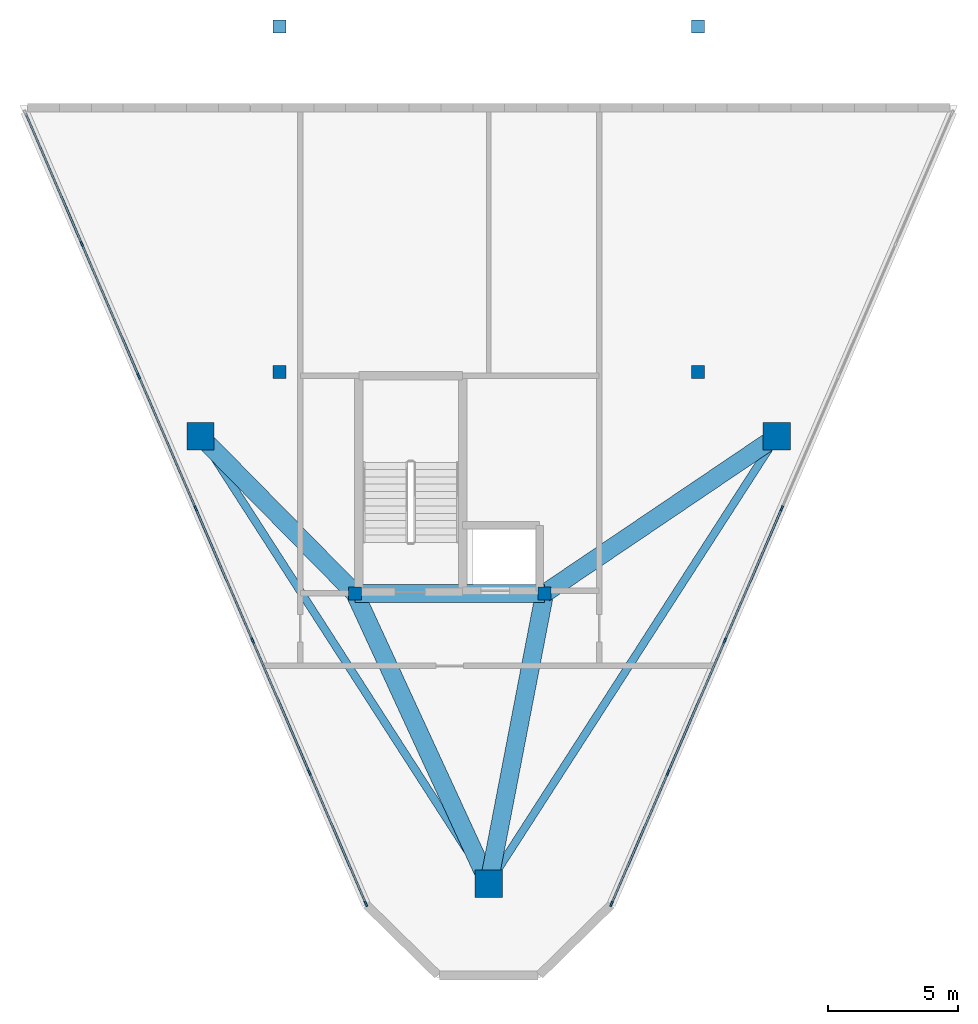
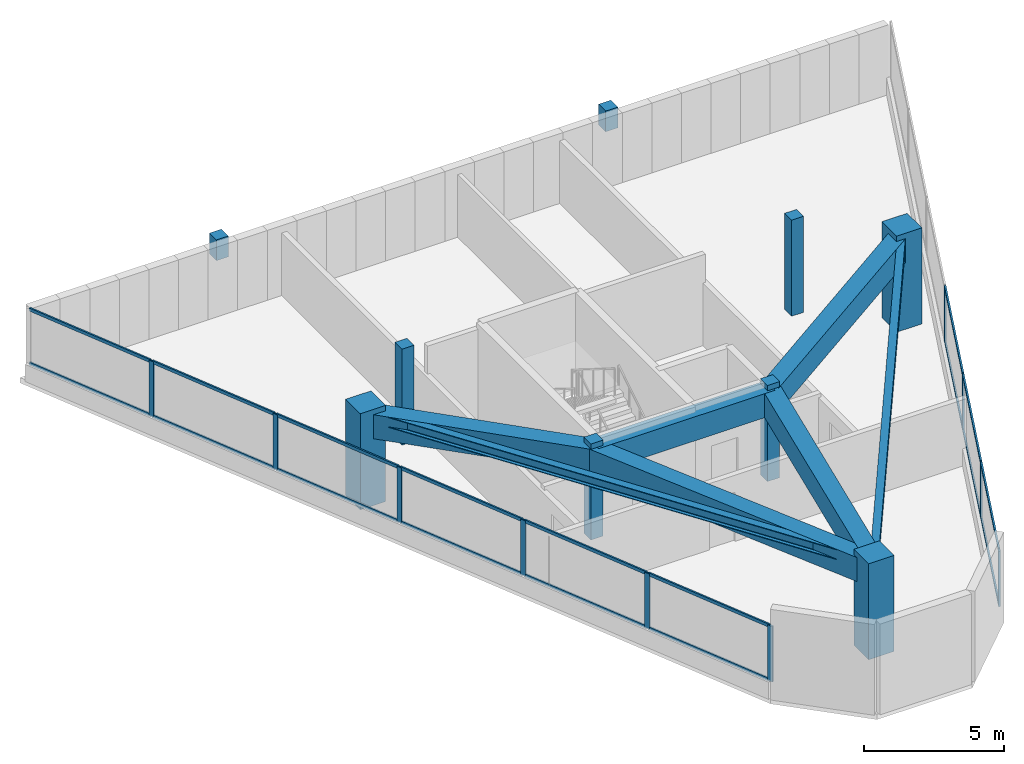
# One storey, part 1 of 5: 28 members, 9 columns, 7 beams, 2 elements without a shape of their own.
"""IFC4 building model written with IfcOpenShell, lengths in metres."""

from ifc_helpers import new_model, si_unit, direction, frame, origin, origin_2d, place, context, subcontext, project, spatial, rectangle, i_section, extrude, material, layer, layer_set, material_profile, profile_set, type_object, element, aggregate, save


model = new_model("IFC4")

# Units and contexts
model_context = context("Model", 3, precision=1e-05, world=origin(), true_north=direction((0.0, 1.0)))
body_context = subcontext(model_context, "Body", "Model", "MODEL_VIEW")
ifc_project = project(units=[si_unit("LENGTHUNIT", "METRE"), si_unit("AREAUNIT", "SQUARE_METRE"), si_unit("VOLUMEUNIT", "CUBIC_METRE"), si_unit("PLANEANGLEUNIT", "RADIAN"), si_unit("MASSUNIT", "GRAM", prefix="KILO")], contexts=[model_context])

# Site, building, storey
site_placement = place(None, origin())
site = spatial("IfcSite", under=ifc_project, at=site_placement, CompositionType="ELEMENT")
building_placement = place(site_placement, origin())
building = spatial("IfcBuilding", under=site, at=building_placement, Name="Talyreon Biosciences Tower", CompositionType="ELEMENT")
storey_placement = place(building_placement, frame((0.0, 0.0, 325.60009765625)))
storey = spatial("IfcBuildingStorey", under=building, at=storey_placement, Name="L86", CompositionType="ELEMENT", Elevation=325.60009765625)

# Columns
ifc_material_1 = material(Name="Concrete C50/60", Category="concrete")
ifc_material_profile_1 = material_profile(ifc_material_1, rectangle(XDim=0.5, YDim=0.5, at=origin_2d()), Name="RC 500x500")
ifc_profile_set_1 = profile_set([ifc_material_profile_1], Name="Concrete C50/60")
column_type_1 = type_object("IfcColumnType", Name="CrownColumn_500", PredefinedType="COLUMN", material=ifc_profile_set_1)
for number, where, z_axis, x_axis, name in (
    (1, (57.949951171875, 61.35009765625, 0.0), (0.0, 0.0, 1.0), (1.0, 0.0, 0.0), "L86 Core Column CC1"),
    (2, (74.050048828125, 61.35009765625, 0.0), (0.0, 0.0, 1.0), (1.0, 0.0, 0.0), "L86 Core Column CC2"),
    (3, (60.85009765625, 52.840087890625, 0.0), (0.0, 0.0, 1.0), (1.0, 0.0, 0.0), "L86 Core Column CSW"),
    (4, (68.14990234375, 52.840087890625, 0.0), (0.0, 0.0, 1.0), (1.0, 0.0, 0.0), "L86 Core Column CSE"),
):
    element("IfcColumn", number, at=place(storey_placement, frame(where, z_axis=z_axis, x_axis=x_axis)), inside=storey, type_object=column_type_1, Name=name, PredefinedType="COLUMN", context=body_context, shape_type="SweptSolid", body=[
        extrude(rectangle(XDim=0.5, YDim=0.5, at=origin_2d()), origin(), (0.0, 0.0, 1.0), 4.199951171875),
    ])
for number, where, z_axis, x_axis, name in (
    (5, (74.050048828125, 74.64990234375, 0.0), (0.0, 0.0, 1.0), (1.0, 0.0, 0.0), "Crown Roof Support Post CC3"),
    (6, (57.949951171875, 74.64990234375, 0.0), (0.0, 0.0, 1.0), (1.0, 0.0, 0.0), "Crown Roof Support Post CC4"),
):
    element("IfcColumn", number, at=place(storey_placement, frame(where, z_axis=z_axis, x_axis=x_axis)), inside=storey, type_object=column_type_1, Name=name, PredefinedType="COLUMN", context=body_context, shape_type="SweptSolid", body=[
        extrude(rectangle(XDim=0.5, YDim=0.5, at=origin_2d()), origin(), (0.0, 0.0, 1.0), 0.90869140625),
    ])
ifc_material_profile_2 = material_profile(ifc_material_1, rectangle(XDim=1.050048828125, YDim=1.050048828125, at=origin_2d()), Name="RC 1050x1050")
ifc_profile_set_2 = profile_set([ifc_material_profile_2], Name="Concrete C50/60")
column_type_2 = type_object("IfcColumnType", Name="MegaColumn_1050", PredefinedType="COLUMN", material=ifc_profile_set_2)
for number, where, z_axis, x_axis, name in (
    (7, (66.0, 41.6669921875, 0.0), (0.0, 0.0, 1.0), (1.0, 0.0, 0.0), "L86 Composite Mega-Column MC1"),
    (8, (77.086181640625, 58.88037109375, 0.0), (0.0, 0.0, 1.0), (1.0, 0.0, 0.0), "L86 Composite Mega-Column MC4"),
    (9, (54.913818359375, 58.88037109375, 0.0), (0.0, 0.0, 1.0), (1.0, 0.0, 0.0), "L86 Composite Mega-Column MC6"),
):
    element("IfcColumn", number, at=place(storey_placement, frame(where, z_axis=z_axis, x_axis=x_axis)), inside=storey, type_object=column_type_2, Name=name, PredefinedType="COLUMN", context=body_context, shape_type="SweptSolid", body=[
        extrude(rectangle(XDim=1.050048828125, YDim=1.050048828125, at=origin_2d()), origin(), (0.0, 0.0, 1.0), 4.199951171875),
    ])

# Curtain wall, members
ifc_material_2 = material(Name="Thermally broken aluminium and low-E glazing", Category="aluminium")
ifc_layer = layer(ifc_material_2, 0.2099609375)
ifc_layer_set = layer_set([ifc_layer], Name="Thermally broken aluminium and low-E glazing")
curtain_wall_type = type_object("IfcCurtainWallType", Name="CurtainWall_SlantedCrown", PredefinedType="NOTDEFINED", material=ifc_layer_set)
curtain_wall_1_placement = place(storey_placement, origin())
curtain_wall_1 = element("IfcCurtainWall", 10, at=curtain_wall_1_placement, inside=storey, type_object=curtain_wall_type, Name="L86 Unitised Curtain Wall FCW-L86-01C", PredefinedType="NOTDEFINED")
ifc_material_3 = material(Name="Anodised thermally broken aluminium", Category="aluminium")
ifc_material_profile_3 = material_profile(ifc_material_3, rectangle(XDim=0.074951171875, YDim=0.2099609375, at=origin_2d()), Name="ALUM MULLION 75x210")
ifc_profile_set_3 = profile_set([ifc_material_profile_3], Name="Anodised thermally broken aluminium")
member_type_1 = type_object("IfcMemberType", Name="CWMullion_75x210", PredefinedType="MULLION", material=ifc_profile_set_3)
member_1_placement = place(storey_placement, frame((77.2763671875, 56.110595703125, 0.7099609375), z_axis=(0.0, 0.0, 1.0), x_axis=(0.918487069239, -0.395451012947, 0.0)))
member_1 = element("IfcMember", 11, at=member_1_placement, type_object=member_type_1, Name="CW8 mullion 4", PredefinedType="MULLION", context=body_context, shape_type="SweptSolid", body=[
    extrude(rectangle(XDim=0.074951171875, YDim=0.2099609375, at=origin_2d()), origin(), (0.0, 0.0, 1.0), 2.426025390625),
])
member_2_placement = place(storey_placement, frame((75.087158203125, 51.02587890625, 0.7099609375), z_axis=(0.0, 0.0, 1.0), x_axis=(0.918487069239, -0.395451012947, 0.0)))
member_2 = element("IfcMember", 12, at=member_2_placement, type_object=member_type_1, Name="CW8 mullion 5", PredefinedType="MULLION", context=body_context, shape_type="SweptSolid", body=[
    extrude(rectangle(XDim=0.074951171875, YDim=0.2099609375, at=origin_2d()), origin(), (0.0, 0.0, 1.0), 2.426025390625),
])
member_3_placement = place(storey_placement, frame((72.89794921875, 45.941162109375, 0.7099609375), z_axis=(0.0, 0.0, 1.0), x_axis=(0.918487069239, -0.395451012947, 0.0)))
member_3 = element("IfcMember", 13, at=member_3_placement, type_object=member_type_1, Name="CW8 mullion 6", PredefinedType="MULLION", context=body_context, shape_type="SweptSolid", body=[
    extrude(rectangle(XDim=0.074951171875, YDim=0.2099609375, at=origin_2d()), origin(), (0.0, 0.0, 1.0), 2.426025390625),
])
member_4_placement = place(storey_placement, frame((70.7236328125, 40.89111328125, 0.7099609375), z_axis=(0.0, 0.0, 1.0), x_axis=(0.918487069239, -0.395451012947, 0.0)))
member_4 = element("IfcMember", 14, at=member_4_placement, type_object=member_type_1, Name="CW8 mullion 7", PredefinedType="MULLION", context=body_context, shape_type="SweptSolid", body=[
    extrude(rectangle(XDim=0.074951171875, YDim=0.2099609375, at=origin_2d()), origin(), (0.0, 0.0, 1.0), 2.426025390625),
])

curtain_wall_2_placement = place(storey_placement, origin())
curtain_wall_2 = element("IfcCurtainWall", 15, at=curtain_wall_2_placement, inside=storey, type_object=curtain_wall_type, Name="L86 Unitised Curtain Wall FCW-L86-05C", PredefinedType="NOTDEFINED")
member_5_placement = place(storey_placement, frame((61.2763671875, 40.89111328125, 0.7099609375), z_axis=(0.0, 0.0, 1.0), x_axis=(-0.918487069239, -0.395451012947, 0.0)))
member_5 = element("IfcMember", 16, at=member_5_placement, type_object=member_type_1, Name="CW8 mullion 1", PredefinedType="MULLION", context=body_context, shape_type="SweptSolid", body=[
    extrude(rectangle(XDim=0.074951171875, YDim=0.2099609375, at=origin_2d()), origin(), (0.0, 0.0, 1.0), 2.426025390625),
])
member_6_placement = place(storey_placement, frame((59.10205078125, 45.941162109375, 0.7099609375), z_axis=(0.0, 0.0, 1.0), x_axis=(-0.918487069239, -0.395451012947, 0.0)))
member_6 = element("IfcMember", 17, at=member_6_placement, type_object=member_type_1, Name="CW8 mullion 2", PredefinedType="MULLION", context=body_context, shape_type="SweptSolid", body=[
    extrude(rectangle(XDim=0.074951171875, YDim=0.2099609375, at=origin_2d()), origin(), (0.0, 0.0, 1.0), 2.426025390625),
])
member_7_placement = place(storey_placement, frame((56.912841796875, 51.02587890625, 0.7099609375), z_axis=(0.0, 0.0, 1.0), x_axis=(-0.918487069239, -0.395451012947, 0.0)))
member_7 = element("IfcMember", 18, at=member_7_placement, type_object=member_type_1, Name="CW8 mullion 3", PredefinedType="MULLION", context=body_context, shape_type="SweptSolid", body=[
    extrude(rectangle(XDim=0.074951171875, YDim=0.2099609375, at=origin_2d()), origin(), (0.0, 0.0, 1.0), 2.426025390625),
])
member_8_placement = place(storey_placement, frame((54.7236328125, 56.110595703125, 0.7099609375), z_axis=(0.0, 0.0, 1.0), x_axis=(-0.918487069239, -0.395451012947, 0.0)))
member_8 = element("IfcMember", 19, at=member_8_placement, type_object=member_type_1, Name="CW8 mullion 4", PredefinedType="MULLION", context=body_context, shape_type="SweptSolid", body=[
    extrude(rectangle(XDim=0.074951171875, YDim=0.2099609375, at=origin_2d()), origin(), (0.0, 0.0, 1.0), 2.426025390625),
])
member_9_placement = place(storey_placement, frame((52.534423828125, 61.1953125, 0.7099609375), z_axis=(0.0, 0.0, 1.0), x_axis=(-0.918487069239, -0.395451012947, 0.0)))
member_9 = element("IfcMember", 20, at=member_9_placement, type_object=member_type_1, Name="CW8 mullion 5", PredefinedType="MULLION", context=body_context, shape_type="SweptSolid", body=[
    extrude(rectangle(XDim=0.074951171875, YDim=0.2099609375, at=origin_2d()), origin(), (0.0, 0.0, 1.0), 2.426025390625),
])
member_10_placement = place(storey_placement, frame((50.34521484375, 66.280029296875, 0.7099609375), z_axis=(0.0, 0.0, 1.0), x_axis=(-0.918487069239, -0.395451012947, 0.0)))
member_10 = element("IfcMember", 21, at=member_10_placement, type_object=member_type_1, Name="CW8 mullion 6", PredefinedType="MULLION", context=body_context, shape_type="SweptSolid", body=[
    extrude(rectangle(XDim=0.074951171875, YDim=0.2099609375, at=origin_2d()), origin(), (0.0, 0.0, 1.0), 2.426025390625),
])

# Member
ifc_material_profile_4 = material_profile(ifc_material_3, rectangle(XDim=0.06494140625, YDim=0.139892578125, at=origin_2d()), Name="ALUM TRANSOM 65x140")
ifc_profile_set_4 = profile_set([ifc_material_profile_4], Name="Anodised thermally broken aluminium")
member_type_2 = type_object("IfcMemberType", Name="CWTransom_65x140", PredefinedType="USERDEFINED", material=ifc_profile_set_4)
member_11_placement = place(storey_placement, frame((77.261474609375, 56.076171875, 0.742431640625), z_axis=(-0.395429539932, -0.918496314064, 0.0), x_axis=(0.918496314064, -0.395429539932, 0.0)))
member_11 = element("IfcMember", 22, at=member_11_placement, type_object=member_type_2, Name="CW8 transom 4.1", ObjectType="TRANSOM", PredefinedType="USERDEFINED", context=body_context, shape_type="SweptSolid", body=[
    extrude(rectangle(XDim=0.06494140625, YDim=0.139892578125, at=origin_2d()), origin(), (0.0, 0.0, 1.0), 5.4609375),
])

member_12_placement = place(storey_placement, frame((77.261474609375, 56.076171875, 3.103515625), z_axis=(-0.395429539932, -0.918496314064, 0.0), x_axis=(0.918496314064, -0.395429539932, 0.0)))
member_12 = element("IfcMember", 23, at=member_12_placement, type_object=member_type_2, Name="CW8 transom 4.2", ObjectType="TRANSOM", PredefinedType="USERDEFINED", context=body_context, shape_type="SweptSolid", body=[
    extrude(rectangle(XDim=0.06494140625, YDim=0.139892578125, at=origin_2d()), origin(), (0.0, 0.0, 1.0), 5.4609375),
])

member_13_placement = place(storey_placement, frame((75.072265625, 50.991455078125, 0.742431640625), z_axis=(-0.395445777986, -0.918489323113, 0.0), x_axis=(0.918489323113, -0.395445777986, 0.0)))
member_13 = element("IfcMember", 24, at=member_13_placement, type_object=member_type_2, Name="CW8 transom 5.1", ObjectType="TRANSOM", PredefinedType="USERDEFINED", context=body_context, shape_type="SweptSolid", body=[
    extrude(rectangle(XDim=0.06494140625, YDim=0.139892578125, at=origin_2d()), origin(), (0.0, 0.0, 1.0), 5.460693359375),
])

member_14_placement = place(storey_placement, frame((75.072265625, 50.991455078125, 3.103515625), z_axis=(-0.395445777986, -0.918489323113, 0.0), x_axis=(0.918489323113, -0.395445777986, 0.0)))
member_14 = element("IfcMember", 25, at=member_14_placement, type_object=member_type_2, Name="CW8 transom 5.2", ObjectType="TRANSOM", PredefinedType="USERDEFINED", context=body_context, shape_type="SweptSolid", body=[
    extrude(rectangle(XDim=0.06494140625, YDim=0.139892578125, at=origin_2d()), origin(), (0.0, 0.0, 1.0), 5.460693359375),
])

member_15_placement = place(storey_placement, frame((72.883056640625, 45.90673828125, 0.742431640625), z_axis=(-0.395434614194, -0.918494129485, 0.0), x_axis=(0.918494129485, -0.395434614194, 0.0)))
member_15 = element("IfcMember", 26, at=member_15_placement, type_object=member_type_2, Name="CW8 transom 6.1", ObjectType="TRANSOM", PredefinedType="USERDEFINED", context=body_context, shape_type="SweptSolid", body=[
    extrude(rectangle(XDim=0.06494140625, YDim=0.139892578125, at=origin_2d()), origin(), (0.0, 0.0, 1.0), 5.42333984375),
])

member_16_placement = place(storey_placement, frame((72.883056640625, 45.90673828125, 3.103515625), z_axis=(-0.395434614194, -0.918494129485, 0.0), x_axis=(0.918494129485, -0.395434614194, 0.0)))
member_16 = element("IfcMember", 27, at=member_16_placement, type_object=member_type_2, Name="CW8 transom 6.2", ObjectType="TRANSOM", PredefinedType="USERDEFINED", context=body_context, shape_type="SweptSolid", body=[
    extrude(rectangle(XDim=0.06494140625, YDim=0.139892578125, at=origin_2d()), origin(), (0.0, 0.0, 1.0), 5.42333984375),
])

aggregate(curtain_wall_1, [member_1, member_2, member_3, member_4, member_11, member_12, member_13, member_14, member_15, member_16])

member_17_placement = place(storey_placement, frame((61.261474609375, 40.925537109375, 0.742431640625), z_axis=(-0.395434614194, 0.918494129485, 0.0), x_axis=(-0.918494129485, -0.395434614194, 0.0)))
member_17 = element("IfcMember", 28, at=member_17_placement, type_object=member_type_2, Name="CW8 transom 1.1", ObjectType="TRANSOM", PredefinedType="USERDEFINED", context=body_context, shape_type="SweptSolid", body=[
    extrude(rectangle(XDim=0.06494140625, YDim=0.139892578125, at=origin_2d()), origin(), (0.0, 0.0, 1.0), 5.42333984375),
])

member_18_placement = place(storey_placement, frame((61.261474609375, 40.925537109375, 3.103515625), z_axis=(-0.395434614194, 0.918494129485, 0.0), x_axis=(-0.918494129485, -0.395434614194, 0.0)))
member_18 = element("IfcMember", 29, at=member_18_placement, type_object=member_type_2, Name="CW8 transom 1.2", ObjectType="TRANSOM", PredefinedType="USERDEFINED", context=body_context, shape_type="SweptSolid", body=[
    extrude(rectangle(XDim=0.06494140625, YDim=0.139892578125, at=origin_2d()), origin(), (0.0, 0.0, 1.0), 5.42333984375),
])

member_19_placement = place(storey_placement, frame((59.087158203125, 45.975830078125, 0.742431640625), z_axis=(-0.395445777986, 0.918489323113, 0.0), x_axis=(-0.918489323113, -0.395445777986, 0.0)))
member_19 = element("IfcMember", 30, at=member_19_placement, type_object=member_type_2, Name="CW8 transom 2.1", ObjectType="TRANSOM", PredefinedType="USERDEFINED", context=body_context, shape_type="SweptSolid", body=[
    extrude(rectangle(XDim=0.06494140625, YDim=0.139892578125, at=origin_2d()), origin(), (0.0, 0.0, 1.0), 5.460693359375),
])

member_20_placement = place(storey_placement, frame((59.087158203125, 45.975830078125, 3.103515625), z_axis=(-0.395445777986, 0.918489323113, 0.0), x_axis=(-0.918489323113, -0.395445777986, 0.0)))
member_20 = element("IfcMember", 31, at=member_20_placement, type_object=member_type_2, Name="CW8 transom 2.2", ObjectType="TRANSOM", PredefinedType="USERDEFINED", context=body_context, shape_type="SweptSolid", body=[
    extrude(rectangle(XDim=0.06494140625, YDim=0.139892578125, at=origin_2d()), origin(), (0.0, 0.0, 1.0), 5.460693359375),
])

member_21_placement = place(storey_placement, frame((56.89794921875, 51.060302734375, 0.742431640625), z_axis=(-0.395429539932, 0.918496314064, 0.0), x_axis=(-0.918496314064, -0.395429539932, 0.0)))
member_21 = element("IfcMember", 32, at=member_21_placement, type_object=member_type_2, Name="CW8 transom 3.1", ObjectType="TRANSOM", PredefinedType="USERDEFINED", context=body_context, shape_type="SweptSolid", body=[
    extrude(rectangle(XDim=0.06494140625, YDim=0.139892578125, at=origin_2d()), origin(), (0.0, 0.0, 1.0), 5.4609375),
])

member_22_placement = place(storey_placement, frame((56.89794921875, 51.060302734375, 3.103515625), z_axis=(-0.395429539932, 0.918496314064, 0.0), x_axis=(-0.918496314064, -0.395429539932, 0.0)))
member_22 = element("IfcMember", 33, at=member_22_placement, type_object=member_type_2, Name="CW8 transom 3.2", ObjectType="TRANSOM", PredefinedType="USERDEFINED", context=body_context, shape_type="SweptSolid", body=[
    extrude(rectangle(XDim=0.06494140625, YDim=0.139892578125, at=origin_2d()), origin(), (0.0, 0.0, 1.0), 5.4609375),
])

member_23_placement = place(storey_placement, frame((54.708740234375, 56.14501953125, 0.742431640625), z_axis=(-0.395429539932, 0.918496314064, 0.0), x_axis=(-0.918496314064, -0.395429539932, 0.0)))
member_23 = element("IfcMember", 34, at=member_23_placement, type_object=member_type_2, Name="CW8 transom 4.1", ObjectType="TRANSOM", PredefinedType="USERDEFINED", context=body_context, shape_type="SweptSolid", body=[
    extrude(rectangle(XDim=0.06494140625, YDim=0.139892578125, at=origin_2d()), origin(), (0.0, 0.0, 1.0), 5.4609375),
])

member_24_placement = place(storey_placement, frame((54.708740234375, 56.14501953125, 3.103515625), z_axis=(-0.395429539932, 0.918496314064, 0.0), x_axis=(-0.918496314064, -0.395429539932, 0.0)))
member_24 = element("IfcMember", 35, at=member_24_placement, type_object=member_type_2, Name="CW8 transom 4.2", ObjectType="TRANSOM", PredefinedType="USERDEFINED", context=body_context, shape_type="SweptSolid", body=[
    extrude(rectangle(XDim=0.06494140625, YDim=0.139892578125, at=origin_2d()), origin(), (0.0, 0.0, 1.0), 5.4609375),
])

member_25_placement = place(storey_placement, frame((52.51953125, 61.229736328125, 0.742431640625), z_axis=(-0.395429539932, 0.918496314064, 0.0), x_axis=(-0.918496314064, -0.395429539932, 0.0)))
member_25 = element("IfcMember", 36, at=member_25_placement, type_object=member_type_2, Name="CW8 transom 5.1", ObjectType="TRANSOM", PredefinedType="USERDEFINED", context=body_context, shape_type="SweptSolid", body=[
    extrude(rectangle(XDim=0.06494140625, YDim=0.139892578125, at=origin_2d()), origin(), (0.0, 0.0, 1.0), 5.4609375),
])

member_26_placement = place(storey_placement, frame((52.51953125, 61.229736328125, 3.103515625), z_axis=(-0.395429539932, 0.918496314064, 0.0), x_axis=(-0.918496314064, -0.395429539932, 0.0)))
member_26 = element("IfcMember", 37, at=member_26_placement, type_object=member_type_2, Name="CW8 transom 5.2", ObjectType="TRANSOM", PredefinedType="USERDEFINED", context=body_context, shape_type="SweptSolid", body=[
    extrude(rectangle(XDim=0.06494140625, YDim=0.139892578125, at=origin_2d()), origin(), (0.0, 0.0, 1.0), 5.4609375),
])

member_27_placement = place(storey_placement, frame((50.33056640625, 66.314453125, 0.742431640625), z_axis=(-0.395472591445, 0.918477778401, 0.0), x_axis=(-0.918477778401, -0.395472591445, 0.0)))
member_27 = element("IfcMember", 38, at=member_27_placement, type_object=member_type_2, Name="CW8 transom 6.1", ObjectType="TRANSOM", PredefinedType="USERDEFINED", context=body_context, shape_type="SweptSolid", body=[
    extrude(rectangle(XDim=0.06494140625, YDim=0.139892578125, at=origin_2d()), origin(), (0.0, 0.0, 1.0), 5.42333984375),
])

member_28_placement = place(storey_placement, frame((50.33056640625, 66.314453125, 3.103515625), z_axis=(-0.395472591445, 0.918477778401, 0.0), x_axis=(-0.918477778401, -0.395472591445, 0.0)))
member_28 = element("IfcMember", 39, at=member_28_placement, type_object=member_type_2, Name="CW8 transom 6.2", ObjectType="TRANSOM", PredefinedType="USERDEFINED", context=body_context, shape_type="SweptSolid", body=[
    extrude(rectangle(XDim=0.06494140625, YDim=0.139892578125, at=origin_2d()), origin(), (0.0, 0.0, 1.0), 5.42333984375),
])

aggregate(curtain_wall_2, [member_5, member_6, member_7, member_8, member_9, member_10, member_17, member_18, member_19, member_20, member_21, member_22, member_23, member_24, member_25, member_26, member_27, member_28])

# Beams
ifc_material_4 = material(Name="Steel SM355", Category="steel")
ifc_material_profile_5 = material_profile(ifc_material_4, i_section(OverallWidth=0.300048828125, OverallDepth=0.449951171875, WebThickness=0.013916015625, FlangeThickness=0.02587890625, FilletRadius=0.027099609375, at=origin_2d()), Name="HE450B")
ifc_profile_set_5 = profile_set([ifc_material_profile_5], Name="Steel SM355")
beam_type_1 = type_object("IfcBeamType", Name="SteelBeam_HE450B", PredefinedType="BEAM", material=ifc_profile_set_5)
for number, where, z_axis, x_axis, name in (
    (40, (66.0, 41.6669921875, 3.739990234375), (0.541463723609, 0.840724114092, 0.0), (-0.840724114092, 0.541463723609, 0.0), "L86 Mega-Ring Girder 1"),
    (41, (54.913818359375, 58.88037109375, 3.739990234375), (0.541463723609, -0.840724114092, 0.0), (0.840724114092, 0.541463723609, 0.0), "L86 Mega-Ring Girder 6"),
):
    element("IfcBeam", number, at=place(storey_placement, frame(where, z_axis=z_axis, x_axis=x_axis)), inside=storey, type_object=beam_type_1, Name=name, PredefinedType="BEAM", context=body_context, shape_type="SweptSolid", body=[
        extrude(i_section(OverallWidth=0.300048828125, OverallDepth=0.449951171875, WebThickness=0.013916015625, FlangeThickness=0.02587890625, FilletRadius=0.027099609375, at=origin_2d()), origin(), (0.0, 0.0, 1.0), 20.474365234375),
    ])
ifc_material_profile_6 = material_profile(ifc_material_1, rectangle(XDim=0.699951171875, YDim=1.050048828125, at=origin_2d()), Name="RCB 700x1050")
ifc_profile_set_6 = profile_set([ifc_material_profile_6], Name="Concrete C50/60")
beam_type_2 = type_object("IfcBeamType", Name="StepTransferSpandrel_700x1050", PredefinedType="SPANDREL", material=ifc_profile_set_6)
beam_1_placement = place(storey_placement, frame((60.85009765625, 52.840087890625, 3.43994140625), z_axis=(1.0, 0.0, 0.0), x_axis=(0.0, 1.0, 0.0)))
element("IfcBeam", 42, at=beam_1_placement, inside=storey, type_object=beam_type_2, Name="L86 Crown Shaft Spine Girder S", PredefinedType="SPANDREL", context=body_context, shape_type="SweptSolid", body=[
    extrude(rectangle(XDim=0.699951171875, YDim=1.050048828125, at=origin_2d()), origin(), (0.0, 0.0, 1.0), 7.2998046875),
])
beam_2_placement = place(storey_placement, frame((60.85009765625, 52.840087890625, 3.43994140625), z_axis=(0.41859502546, -0.908173003706, 0.0), x_axis=(0.908173003706, 0.41859502546, 0.0)))
element("IfcBeam", 43, at=beam_2_placement, inside=storey, type_object=beam_type_2, Name="L86 Crown Prow Tie Girder W", PredefinedType="SPANDREL", context=body_context, shape_type="SweptSolid", body=[
    extrude(rectangle(XDim=0.699951171875, YDim=1.050048828125, at=origin_2d()), origin(), (0.0, 0.0, 1.0), 12.302734375),
])
beam_3_placement = place(storey_placement, frame((68.14990234375, 52.840087890625, 3.43994140625), z_axis=(-0.188951648003, -0.981986392328, 0.0), x_axis=(0.981986392328, -0.188951648003, 0.0)))
element("IfcBeam", 44, at=beam_3_placement, inside=storey, type_object=beam_type_2, Name="L86 Crown Prow Tie Girder E", PredefinedType="SPANDREL", context=body_context, shape_type="SweptSolid", body=[
    extrude(rectangle(XDim=0.699951171875, YDim=1.050048828125, at=origin_2d()), origin(), (0.0, 0.0, 1.0), 11.378173828125),
])
beam_4_placement = place(storey_placement, frame((60.85009765625, 52.840087890625, 3.43994140625), z_axis=(-0.700939870305, 0.713220371426, 0.0), x_axis=(-0.713220371426, -0.700939870305, 0.0)))
element("IfcBeam", 45, at=beam_4_placement, inside=storey, type_object=beam_type_2, Name="L86 Crown Flank Girder MC6", PredefinedType="SPANDREL", context=body_context, shape_type="SweptSolid", body=[
    extrude(rectangle(XDim=0.699951171875, YDim=1.050048828125, at=origin_2d()), origin(), (0.0, 0.0, 1.0), 8.468994140625),
])
beam_5_placement = place(storey_placement, frame((68.14990234375, 52.840087890625, 3.43994140625), z_axis=(0.828491902441, 0.560001042491, 0.0), x_axis=(-0.560001042491, 0.828491902441, 0.0)))
element("IfcBeam", 46, at=beam_5_placement, inside=storey, type_object=beam_type_2, Name="L86 Crown Flank Girder MC4", PredefinedType="SPANDREL", context=body_context, shape_type="SweptSolid", body=[
    extrude(rectangle(XDim=0.699951171875, YDim=1.050048828125, at=origin_2d()), origin(), (0.0, 0.0, 1.0), 10.7861328125),
])

save(model, "model.ifc")
